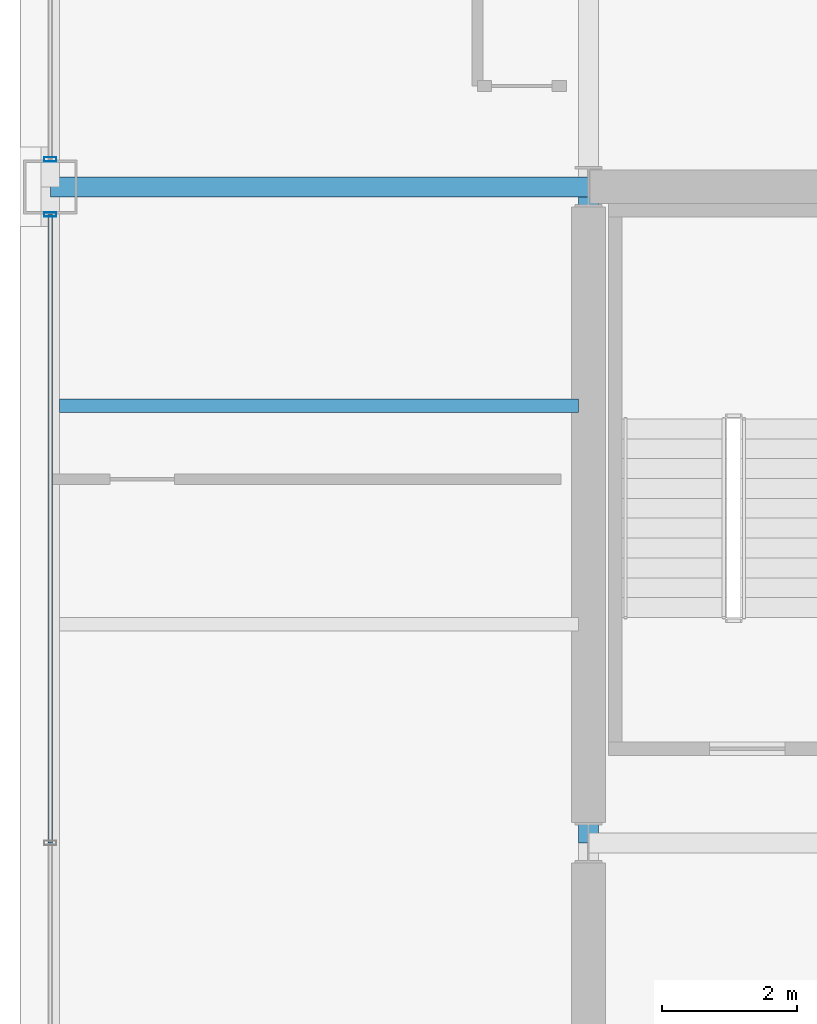
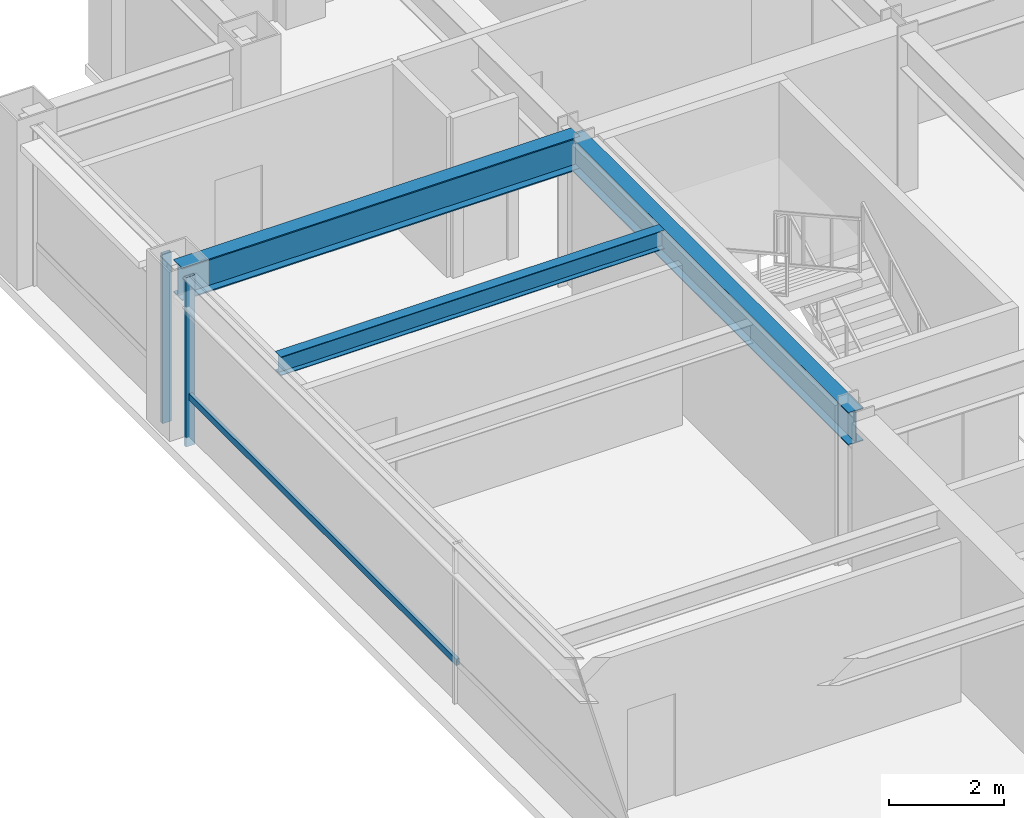
# One storey, part 9 of 28: 3 beams, 3 members, 2 elements without a shape of their own.
"""IFC4 building model written with IfcOpenShell, lengths in metres."""

import ifcopenshell
import ifcopenshell.guid

model = None  # the IFC model being written
_history = None  # IfcOwnerHistory: only IFC2X3 demands one
_inside = {}  # id of a spatial element -> (the spatial element, [elements in it])
_under = {}  # id of a project, library or spatial element -> (it, [spatial elements below it])
_declared = {}  # id of a project -> (the project, [libraries it declares])
_typed = {}  # id of a type object -> (the type object, [elements of that type])
_made_of = {}  # id of a material, layer set ... -> (it, [elements and type objects made of it])


def new_model(schema):
    """Start an empty IFC model of exactly this schema.

    Asked for "IFC4X3", IfcOpenShell would pick the latest addendum, in which some entities
    have other attributes; the version numbers below select the first issue.
    IFC2X3 requires an IfcOwnerHistory on every rooted entity: one is made here for all.
    """
    global model, _history
    if schema == "IFC4X3":
        model = ifcopenshell.file(schema_version=(4, 3, 0, 0))
    else:
        model = ifcopenshell.file(schema=schema)
    _inside.clear()
    _under.clear()
    _declared.clear()
    _typed.clear()
    _made_of.clear()
    _history = None
    if model.schema == "IFC2X3":
        org = make("IfcOrganization", Name="unknown")
        user = make(
            "IfcPersonAndOrganization",
            ThePerson=make("IfcPerson", FamilyName="unknown"),
            TheOrganization=org,
        )
        app = make(
            "IfcApplication",
            ApplicationDeveloper=org,
            Version="unknown",
            ApplicationFullName="unknown",
            ApplicationIdentifier="unknown",
        )
        _history = make(
            "IfcOwnerHistory",
            OwningUser=user,
            OwningApplication=app,
            ChangeAction="ADDED",
            CreationDate=0,
        )
    return model


def make(cls, **values):
    """One entity of the class cls with the attributes given. An attribute that is None is left unset."""
    return model.create_entity(
        cls, **{name: value for name, value in values.items() if value is not None}
    )


def rooted(cls, **values):
    """An entity with a GlobalId (a new one), such as an element, a storey or a relation."""
    return make(cls, GlobalId=ifcopenshell.guid.new(), OwnerHistory=_history, **values)


def si_unit(unit_type, name, prefix=None):
    """IfcSIUnit, for example si_unit("LENGTHUNIT", "METRE", prefix="MILLI")."""
    return make("IfcSIUnit", UnitType=unit_type, Prefix=prefix, Name=name)


def assignment(units):
    """IfcUnitAssignment: the units of a project."""
    return None if units is None else make("IfcUnitAssignment", Units=units)


def point(xyz):
    """IfcCartesianPoint."""
    return None if xyz is None else make("IfcCartesianPoint", Coordinates=xyz)


def direction(xyz):
    """IfcDirection."""
    return None if xyz is None else make("IfcDirection", DirectionRatios=xyz)


def frame(location, z_axis=None, x_axis=None):
    """IfcAxis2Placement3D, a coordinate frame: its origin and axes. An axis left out is left unset."""
    return make(
        "IfcAxis2Placement3D",
        Location=point(location),
        Axis=direction(z_axis),
        RefDirection=direction(x_axis),
    )


def frame_2d(location, x_axis=None):
    """IfcAxis2Placement2D, a coordinate frame in the plane: its origin and x axis."""
    return make(
        "IfcAxis2Placement2D", Location=point(location), RefDirection=direction(x_axis)
    )


def origin():
    """The frame at (0, 0, 0) with its axes left unset."""
    return frame((0.0, 0.0, 0.0))


def origin_2d():
    """The frame at (0, 0) in the plane with its x axis left unset."""
    return frame_2d((0.0, 0.0))


def place(relative_to, where):
    """IfcLocalPlacement: puts the frame where relative to a parent placement (None: the world)."""
    return make(
        "IfcLocalPlacement", PlacementRelTo=relative_to, RelativePlacement=where
    )


def context(
    kind, dimensions, precision=None, world=None, true_north=None, identifier=None
):
    """IfcGeometricRepresentationContext, for example the 3D "Model" context."""
    return make(
        "IfcGeometricRepresentationContext",
        ContextIdentifier=identifier,
        ContextType=kind,
        CoordinateSpaceDimension=dimensions,
        Precision=precision,
        WorldCoordinateSystem=world,
        TrueNorth=true_north,
    )


def subcontext(parent, identifier, kind, view, scale=None):
    """IfcGeometricRepresentationSubContext, for example "Body" below "Model"."""
    return make(
        "IfcGeometricRepresentationSubContext",
        ContextIdentifier=identifier,
        ContextType=kind,
        ParentContext=parent,
        TargetScale=scale,
        TargetView=view,
    )


def project(units=None, contexts=None):
    """IfcProject with its units and contexts."""
    return rooted(
        "IfcProject",
        Name="project",
        RepresentationContexts=contexts,
        UnitsInContext=assignment(units),
    )


def spatial(cls, under=None, at=None, **own):
    """A site, building, storey or space (cls), placed at a placement, below another one or the project."""
    s = rooted(cls, ObjectPlacement=at, **own)
    if under is not None:
        _under.setdefault(under.id(), (under, []))[1].append(s)
    return s


def profile(cls, at=None, kind="AREA", **sizes):
    """A parametric profile (cls). Its sizes go by their IFC names, for example OverallWidth=200.0."""
    return make(cls, ProfileType=kind, Position=at, **sizes)


def hollow_rectangle(**sizes):
    """IfcRectangleHollowProfileDef."""
    return profile("IfcRectangleHollowProfileDef", **sizes)


def i_section(**sizes):
    """IfcIShapeProfileDef."""
    return profile("IfcIShapeProfileDef", **sizes)


def extrude(swept, where, along, depth):
    """IfcExtrudedAreaSolid: the profile swept, set in the frame where, extruded along a direction by depth."""
    return make(
        "IfcExtrudedAreaSolid",
        SweptArea=swept,
        Position=where,
        ExtrudedDirection=direction(along),
        Depth=depth,
    )


def shape(context_of_items, identifier, shape_type, items):
    """IfcShapeRepresentation: the items that make up one representation, for example the "Body"."""
    return make(
        "IfcShapeRepresentation",
        ContextOfItems=context_of_items,
        RepresentationIdentifier=identifier,
        RepresentationType=shape_type,
        Items=items,
    )


def material(Name=None, Category=None):
    """IfcMaterial."""
    return make("IfcMaterial", Name=Name, Category=Category)


def layer(
    of_material, thickness, ventilated=None, Name=None, Category=None, Priority=None
):
    """IfcMaterialLayer: one layer of a wall or slab, of a material (None: an air gap)."""
    return make(
        "IfcMaterialLayer",
        Material=of_material,
        LayerThickness=thickness,
        IsVentilated=ventilated,
        Name=Name,
        Category=Category,
        Priority=Priority,
    )


def layer_set(layers, Name=None):
    """IfcMaterialLayerSet."""
    return make("IfcMaterialLayerSet", MaterialLayers=layers, LayerSetName=Name)


def material_profile(
    of_material, cross_section, Name=None, Category=None, Priority=None
):
    """IfcMaterialProfile: a cross section and its material."""
    return make(
        "IfcMaterialProfile",
        Name=Name,
        Material=of_material,
        Profile=cross_section,
        Priority=Priority,
        Category=Category,
    )


def profile_set(profiles, Name=None, composite=None):
    """IfcMaterialProfileSet."""
    return make(
        "IfcMaterialProfileSet",
        Name=Name,
        MaterialProfiles=profiles,
        CompositeProfile=composite,
    )


def made_of(thing, what):
    """Note that an element or type object is made of a material, layer set ...; save() writes the relation."""
    if what is not None:
        _made_of.setdefault(what.id(), (what, []))[1].append(thing)
    return thing


def type_object(cls, material=None, **own):
    """A type object (cls), such as IfcWallType, which elements share."""
    return made_of(rooted(cls, **own), material)


def element(
    cls,
    number,
    at=None,
    inside=None,
    cuts=None,
    type_object=None,
    material=None,
    context=None,
    identifier="Body",
    shape_type=None,
    held_by="IfcProductDefinitionShape",
    body=None,
    shapes=None,
    **own,
):
    """One element of the class cls, such as IfcWall. Its Tag is "e" and its number.

    at: its placement. inside: the storey or other place that contains it. cuts: it is an
    opening in that element (IfcRelVoidsElement). A single representation is given by context,
    identifier, shape_type and body (its items); several are given by shapes. held_by: the class
    of the entity that holds the representations. save() writes the other relations.
    """
    e = rooted(cls, Tag="e%d" % number, ObjectPlacement=at, **own)
    if body is not None:
        shapes = [shape(context, identifier, shape_type, body)]
    if shapes is not None:
        e.Representation = make(held_by, Representations=shapes)
    if inside is not None:
        _inside.setdefault(inside.id(), (inside, []))[1].append(e)
    if cuts is not None:
        rooted(
            "IfcRelVoidsElement", RelatingBuildingElement=cuts, RelatedOpeningElement=e
        )
    if type_object is not None:
        _typed.setdefault(type_object.id(), (type_object, []))[1].append(e)
    return made_of(e, material)


def aggregate(whole, parts):
    """IfcRelAggregates: a whole, such as a stair, and the parts it consists of."""
    return rooted("IfcRelAggregates", RelatingObject=whole, RelatedObjects=parts)


def save(model, path):
    """Write the relations noted so far, then the file.

    IfcRelAggregates (storeys below a building ...), IfcRelContainedInSpatialStructure (elements
    in a storey), IfcRelDefinesByType, IfcRelAssociatesMaterial and IfcRelDeclares: one each for
    every whole, place, type object, material and project.
    """
    for whole, parts in _under.values():
        aggregate(whole, parts)
    for where, things in _inside.values():
        rooted(
            "IfcRelContainedInSpatialStructure",
            RelatedElements=things,
            RelatingStructure=where,
        )
    for kind, things in _typed.values():
        rooted("IfcRelDefinesByType", RelatedObjects=things, RelatingType=kind)
    for what, things in _made_of.values():
        rooted("IfcRelAssociatesMaterial", RelatedObjects=things, RelatingMaterial=what)
    for by, libraries in _declared.values():
        rooted("IfcRelDeclares", RelatingContext=by, RelatedDefinitions=libraries)
    model.write(path)


model = new_model("IFC4")

# Units and contexts
model_context = context("Model", 3, precision=1e-05, world=origin(), true_north=direction((0.0, 1.0)))
body_context = subcontext(model_context, "Body", "Model", "MODEL_VIEW")
ifc_project = project(units=[si_unit("LENGTHUNIT", "METRE"), si_unit("AREAUNIT", "SQUARE_METRE"), si_unit("VOLUMEUNIT", "CUBIC_METRE"), si_unit("PLANEANGLEUNIT", "RADIAN"), si_unit("MASSUNIT", "GRAM", prefix="KILO")], contexts=[model_context])

# Site, building, storey
site_placement = place(None, origin())
site = spatial("IfcSite", under=ifc_project, at=site_placement, CompositionType="ELEMENT")
building_placement = place(site_placement, origin())
building = spatial("IfcBuilding", under=site, at=building_placement, Name="Brelmoor Portico Tower", CompositionType="ELEMENT")
storey_placement = place(building_placement, frame((0.0, 0.0, 142.199951171875)))
storey = spatial("IfcBuildingStorey", under=building, at=storey_placement, Name="L37", CompositionType="ELEMENT", Elevation=142.199951171875)

# Beams
ifc_material_1 = material(Name="Steel Q355B", Category="steel")
ifc_material_profile_1 = material_profile(ifc_material_1, i_section(OverallWidth=0.199951171875, OverallDepth=0.39990234375, WebThickness=0.008056640625, FlangeThickness=0.012939453125, at=origin_2d()), Name="HN 400x200x8x13")
ifc_profile_set_1 = profile_set([ifc_material_profile_1], Name="Steel Q355B")
beam_type_1 = type_object("IfcBeamType", Name="BM-JS-400", PredefinedType="JOIST", material=ifc_profile_set_1)
beam_1_placement = place(storey_placement, frame((-22.409912109375, 6.5, 3.199951171875), z_axis=(1.0, 0.0, 0.0), x_axis=(0.0, 1.0, 0.0)))
element("IfcBeam", 1, at=beam_1_placement, inside=storey, type_object=beam_type_1, Name="L37 Secondary Wing Joist JS-W08", PredefinedType="JOIST", context=body_context, shape_type="SweptSolid", body=[
    extrude(i_section(OverallWidth=0.199951171875, OverallDepth=0.39990234375, WebThickness=0.008056640625, FlangeThickness=0.012939453125, at=origin_2d()), origin(), (0.0, 0.0, 1.0), 7.7099609375),
])
ifc_material_profile_2 = material_profile(ifc_material_1, i_section(OverallWidth=0.300048828125, OverallDepth=0.699951171875, WebThickness=0.012939453125, FlangeThickness=0.02392578125, at=origin_2d()), Name="HN 700x300x13x24")
ifc_profile_set_2 = profile_set([ifc_material_profile_2], Name="Steel Q355B")
beam_type_2 = type_object("IfcBeamType", Name="BM-PG-700", PredefinedType="BEAM", material=ifc_profile_set_2)
beam_2_placement = place(storey_placement, frame((-14.550048828125, 0.0, 3.050048828125), z_axis=(0.0, 1.0, 0.0), x_axis=(-1.0, 0.0, 0.0)))
element("IfcBeam", 2, at=beam_2_placement, inside=storey, type_object=beam_type_2, Name="L37 Primary Floor Girder PG-03", PredefinedType="BEAM", context=body_context, shape_type="SweptSolid", body=[
    extrude(i_section(OverallWidth=0.300048828125, OverallDepth=0.699951171875, WebThickness=0.012939453125, FlangeThickness=0.02392578125, at=origin_2d()), origin(), (0.0, 0.0, 1.0), 9.75),
])
beam_3_placement = place(storey_placement, frame((-22.550048828125, 9.75, 3.050048828125), z_axis=(1.0, 0.0, 0.0), x_axis=(0.0, 1.0, 0.0)))
element("IfcBeam", 3, at=beam_3_placement, inside=storey, type_object=beam_type_2, Name="L37 Primary Floor Girder PG-22", PredefinedType="BEAM", context=body_context, shape_type="SweptSolid", body=[
    extrude(i_section(OverallWidth=0.300048828125, OverallDepth=0.699951171875, WebThickness=0.012939453125, FlangeThickness=0.02392578125, at=origin_2d()), origin(), (0.0, 0.0, 1.0), 8.0),
])

# Curtain wall, member
ifc_material_2 = material(Name="Anodised Aluminium Alloy 6063-T6", Category="aluminium")
ifc_layer = layer(ifc_material_2, 0.179931640625)
ifc_layer_set = layer_set([ifc_layer], Name="Anodised Aluminium Alloy 6063-T6")
curtain_wall_type = type_object("IfcCurtainWallType", Name="CW-TOWER-Z2", PredefinedType="NOTDEFINED", material=ifc_layer_set)
curtain_wall_1_placement = place(storey_placement, origin())
curtain_wall_1 = element("IfcCurtainWall", 4, at=curtain_wall_1_placement, inside=storey, type_object=curtain_wall_type, Name="L37 Curtain Wall CW-L37-03-2", PredefinedType="NOTDEFINED")
ifc_material_profile_3 = material_profile(ifc_material_2, hollow_rectangle(XDim=0.06494140625, YDim=0.179931640625, WallThickness=0.00390625, at=origin_2d()), Name="ALU MULLION 65x180")
ifc_profile_set_3 = profile_set([ifc_material_profile_3], Name="Anodised Aluminium Alloy 6063-T6")
member_type_1 = type_object("IfcMemberType", Name="MB-CW-MULL-180", PredefinedType="MULLION", material=ifc_profile_set_3)
member_1_placement = place(storey_placement, frame((-22.550048828125, 9.340087890625, -0.199951171875), z_axis=(0.0, 0.0, 1.0), x_axis=(0.0, 1.0, 0.0)))
member_1 = element("IfcMember", 5, at=member_1_placement, type_object=member_type_1, Name="CW-L37-03-2 Mullion 02", PredefinedType="MULLION", context=body_context, shape_type="SweptSolid", body=[
    extrude(hollow_rectangle(XDim=0.06494140625, YDim=0.179931640625, WallThickness=0.00390625, at=origin_2d()), origin(), (0.0, 0.0, 1.0), 3.60009765625),
])

curtain_wall_2_placement = place(storey_placement, origin())
curtain_wall_2 = element("IfcCurtainWall", 6, at=curtain_wall_2_placement, inside=storey, type_object=curtain_wall_type, Name="L37 Curtain Wall CW-L37-03-3", PredefinedType="NOTDEFINED")
member_2_placement = place(storey_placement, frame((-22.550048828125, 10.159912109375, -0.199951171875), z_axis=(0.0, 0.0, 1.0), x_axis=(0.0, 1.0, 0.0)))
member_2 = element("IfcMember", 7, at=member_2_placement, type_object=member_type_1, Name="CW-L37-03-3 Mullion 00", PredefinedType="MULLION", context=body_context, shape_type="SweptSolid", body=[
    extrude(hollow_rectangle(XDim=0.06494140625, YDim=0.179931640625, WallThickness=0.00390625, at=origin_2d()), origin(), (0.0, 0.0, 1.0), 3.60009765625),
])
aggregate(curtain_wall_2, [member_2])

# Member
ifc_material_profile_4 = material_profile(ifc_material_2, hollow_rectangle(XDim=0.06494140625, YDim=0.139892578125, WallThickness=0.00390625, at=origin_2d()), Name="ALU TRANSOM 65x140")
ifc_profile_set_4 = profile_set([ifc_material_profile_4], Name="Anodised Aluminium Alloy 6063-T6")
member_type_2 = type_object("IfcMemberType", Name="MB-CW-TRAN-140", PredefinedType="USERDEFINED", material=ifc_profile_set_4)
member_3_placement = place(storey_placement, frame((-22.550048828125, 0.0, 0.85009765625), z_axis=(0.0, 1.0, 0.0), x_axis=(-1.0, 0.0, 0.0)))
member_3 = element("IfcMember", 8, at=member_3_placement, type_object=member_type_2, Name="CW-L37-03-2 Transom 1-01", ObjectType="TRANSOM", PredefinedType="USERDEFINED", context=body_context, shape_type="SweptSolid", body=[
    extrude(hollow_rectangle(XDim=0.06494140625, YDim=0.139892578125, WallThickness=0.00390625, at=origin_2d()), origin(), (0.0, 0.0, 1.0), 9.340087890625),
])

aggregate(curtain_wall_1, [member_1, member_3])

save(model, "model.ifc")
